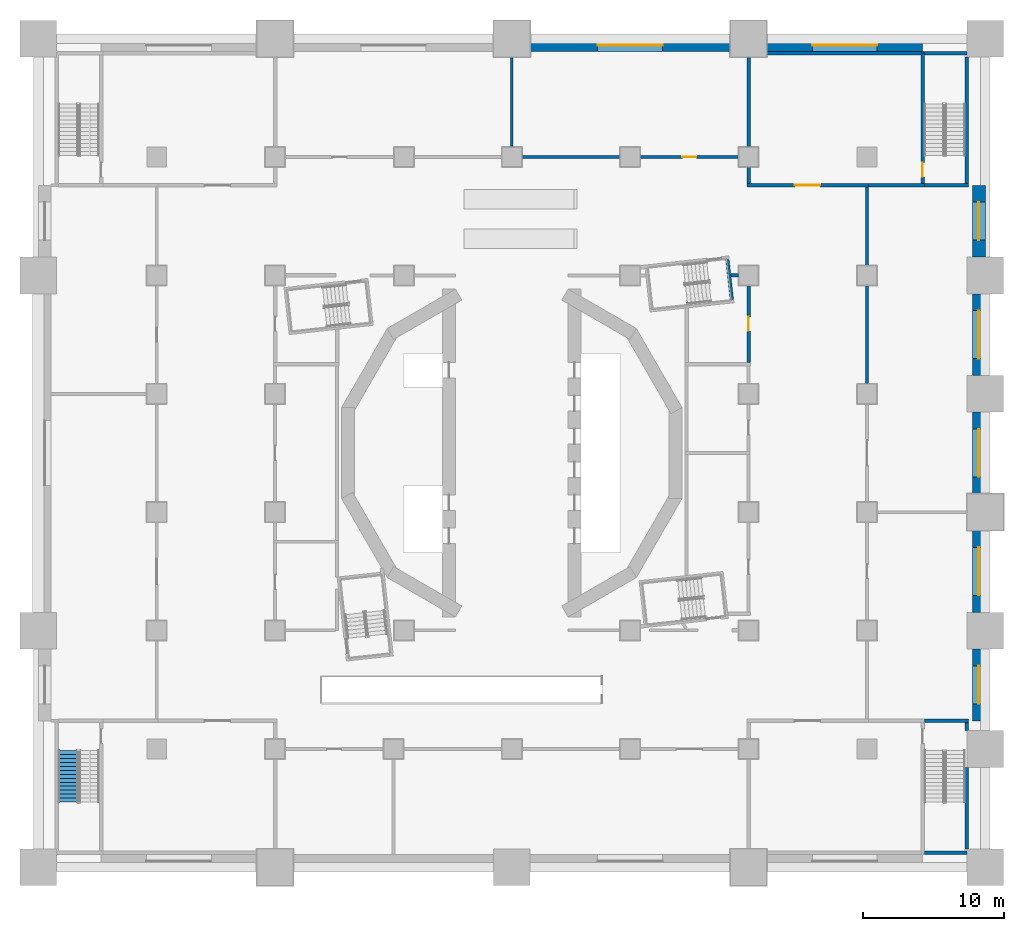
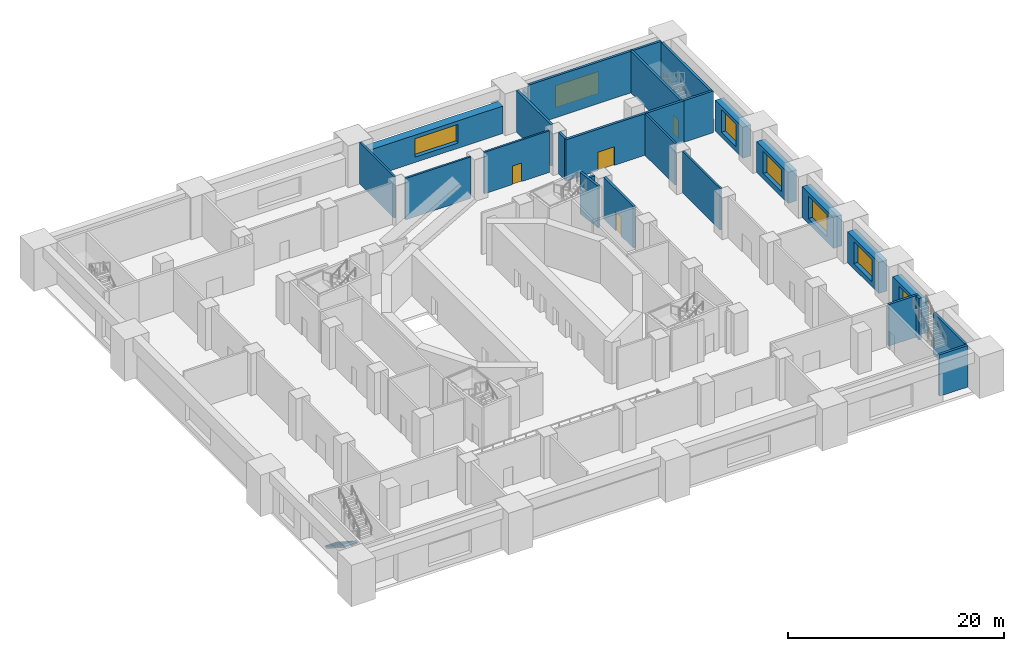
# One storey, part 5 of 19: 28 walls, 7 windows, 4 doors, 1 stair flight, 11 openings, 1 element without a shape of its own.
"""IFC4 building model written with IfcOpenShell, lengths in metres."""

import ifcopenshell
import ifcopenshell.guid

model = None  # the IFC model being written
_history = None  # IfcOwnerHistory: only IFC2X3 demands one
_inside = {}  # id of a spatial element -> (the spatial element, [elements in it])
_under = {}  # id of a project, library or spatial element -> (it, [spatial elements below it])
_declared = {}  # id of a project -> (the project, [libraries it declares])
_typed = {}  # id of a type object -> (the type object, [elements of that type])
_made_of = {}  # id of a material, layer set ... -> (it, [elements and type objects made of it])


def new_model(schema):
    """Start an empty IFC model of exactly this schema.

    Asked for "IFC4X3", IfcOpenShell would pick the latest addendum, in which some entities
    have other attributes; the version numbers below select the first issue.
    IFC2X3 requires an IfcOwnerHistory on every rooted entity: one is made here for all.
    """
    global model, _history
    if schema == "IFC4X3":
        model = ifcopenshell.file(schema_version=(4, 3, 0, 0))
    else:
        model = ifcopenshell.file(schema=schema)
    _inside.clear()
    _under.clear()
    _declared.clear()
    _typed.clear()
    _made_of.clear()
    _history = None
    if model.schema == "IFC2X3":
        org = make("IfcOrganization", Name="unknown")
        user = make(
            "IfcPersonAndOrganization",
            ThePerson=make("IfcPerson", FamilyName="unknown"),
            TheOrganization=org,
        )
        app = make(
            "IfcApplication",
            ApplicationDeveloper=org,
            Version="unknown",
            ApplicationFullName="unknown",
            ApplicationIdentifier="unknown",
        )
        _history = make(
            "IfcOwnerHistory",
            OwningUser=user,
            OwningApplication=app,
            ChangeAction="ADDED",
            CreationDate=0,
        )
    return model


def make(cls, **values):
    """One entity of the class cls with the attributes given. An attribute that is None is left unset."""
    return model.create_entity(
        cls, **{name: value for name, value in values.items() if value is not None}
    )


def rooted(cls, **values):
    """An entity with a GlobalId (a new one), such as an element, a storey or a relation."""
    return make(cls, GlobalId=ifcopenshell.guid.new(), OwnerHistory=_history, **values)


def si_unit(unit_type, name, prefix=None):
    """IfcSIUnit, for example si_unit("LENGTHUNIT", "METRE", prefix="MILLI")."""
    return make("IfcSIUnit", UnitType=unit_type, Prefix=prefix, Name=name)


def assignment(units):
    """IfcUnitAssignment: the units of a project."""
    return None if units is None else make("IfcUnitAssignment", Units=units)


def point(xyz):
    """IfcCartesianPoint."""
    return None if xyz is None else make("IfcCartesianPoint", Coordinates=xyz)


def direction(xyz):
    """IfcDirection."""
    return None if xyz is None else make("IfcDirection", DirectionRatios=xyz)


def frame(location, z_axis=None, x_axis=None):
    """IfcAxis2Placement3D, a coordinate frame: its origin and axes. An axis left out is left unset."""
    return make(
        "IfcAxis2Placement3D",
        Location=point(location),
        Axis=direction(z_axis),
        RefDirection=direction(x_axis),
    )


def frame_2d(location, x_axis=None):
    """IfcAxis2Placement2D, a coordinate frame in the plane: its origin and x axis."""
    return make(
        "IfcAxis2Placement2D", Location=point(location), RefDirection=direction(x_axis)
    )


def origin():
    """The frame at (0, 0, 0) with its axes left unset."""
    return frame((0.0, 0.0, 0.0))


def place(relative_to, where):
    """IfcLocalPlacement: puts the frame where relative to a parent placement (None: the world)."""
    return make(
        "IfcLocalPlacement", PlacementRelTo=relative_to, RelativePlacement=where
    )


def context(
    kind, dimensions, precision=None, world=None, true_north=None, identifier=None
):
    """IfcGeometricRepresentationContext, for example the 3D "Model" context."""
    return make(
        "IfcGeometricRepresentationContext",
        ContextIdentifier=identifier,
        ContextType=kind,
        CoordinateSpaceDimension=dimensions,
        Precision=precision,
        WorldCoordinateSystem=world,
        TrueNorth=true_north,
    )


def subcontext(parent, identifier, kind, view, scale=None):
    """IfcGeometricRepresentationSubContext, for example "Body" below "Model"."""
    return make(
        "IfcGeometricRepresentationSubContext",
        ContextIdentifier=identifier,
        ContextType=kind,
        ParentContext=parent,
        TargetScale=scale,
        TargetView=view,
    )


def project(units=None, contexts=None):
    """IfcProject with its units and contexts."""
    return rooted(
        "IfcProject",
        Name="project",
        RepresentationContexts=contexts,
        UnitsInContext=assignment(units),
    )


def spatial(cls, under=None, at=None, **own):
    """A site, building, storey or space (cls), placed at a placement, below another one or the project."""
    s = rooted(cls, ObjectPlacement=at, **own)
    if under is not None:
        _under.setdefault(under.id(), (under, []))[1].append(s)
    return s


def polyline(points):
    """IfcPolyline through the points."""
    return make("IfcPolyline", Points=[point(p) for p in points])


def profile(cls, at=None, kind="AREA", **sizes):
    """A parametric profile (cls). Its sizes go by their IFC names, for example OverallWidth=200.0."""
    return make(cls, ProfileType=kind, Position=at, **sizes)


def rectangle(**sizes):
    """IfcRectangleProfileDef."""
    return profile("IfcRectangleProfileDef", **sizes)


def outline(outer, holes=None, kind="AREA"):
    """IfcArbitraryClosedProfileDef: a profile drawn as a closed curve; with holes, ...WithVoids."""
    if holes is None:
        return make("IfcArbitraryClosedProfileDef", ProfileType=kind, OuterCurve=outer)
    return make(
        "IfcArbitraryProfileDefWithVoids",
        ProfileType=kind,
        OuterCurve=outer,
        InnerCurves=holes,
    )


def extrude(swept, where, along, depth):
    """IfcExtrudedAreaSolid: the profile swept, set in the frame where, extruded along a direction by depth."""
    return make(
        "IfcExtrudedAreaSolid",
        SweptArea=swept,
        Position=where,
        ExtrudedDirection=direction(along),
        Depth=depth,
    )


def shape(context_of_items, identifier, shape_type, items):
    """IfcShapeRepresentation: the items that make up one representation, for example the "Body"."""
    return make(
        "IfcShapeRepresentation",
        ContextOfItems=context_of_items,
        RepresentationIdentifier=identifier,
        RepresentationType=shape_type,
        Items=items,
    )


def material(Name=None, Category=None):
    """IfcMaterial."""
    return make("IfcMaterial", Name=Name, Category=Category)


def layer(
    of_material, thickness, ventilated=None, Name=None, Category=None, Priority=None
):
    """IfcMaterialLayer: one layer of a wall or slab, of a material (None: an air gap)."""
    return make(
        "IfcMaterialLayer",
        Material=of_material,
        LayerThickness=thickness,
        IsVentilated=ventilated,
        Name=Name,
        Category=Category,
        Priority=Priority,
    )


def layer_set(layers, Name=None):
    """IfcMaterialLayerSet."""
    return make("IfcMaterialLayerSet", MaterialLayers=layers, LayerSetName=Name)


def made_of(thing, what):
    """Note that an element or type object is made of a material, layer set ...; save() writes the relation."""
    if what is not None:
        _made_of.setdefault(what.id(), (what, []))[1].append(thing)
    return thing


def type_object(cls, material=None, **own):
    """A type object (cls), such as IfcWallType, which elements share."""
    return made_of(rooted(cls, **own), material)


def element(
    cls,
    number,
    at=None,
    inside=None,
    cuts=None,
    type_object=None,
    material=None,
    context=None,
    identifier="Body",
    shape_type=None,
    held_by="IfcProductDefinitionShape",
    body=None,
    shapes=None,
    **own,
):
    """One element of the class cls, such as IfcWall. Its Tag is "e" and its number.

    at: its placement. inside: the storey or other place that contains it. cuts: it is an
    opening in that element (IfcRelVoidsElement). A single representation is given by context,
    identifier, shape_type and body (its items); several are given by shapes. held_by: the class
    of the entity that holds the representations. save() writes the other relations.
    """
    e = rooted(cls, Tag="e%d" % number, ObjectPlacement=at, **own)
    if body is not None:
        shapes = [shape(context, identifier, shape_type, body)]
    if shapes is not None:
        e.Representation = make(held_by, Representations=shapes)
    if inside is not None:
        _inside.setdefault(inside.id(), (inside, []))[1].append(e)
    if cuts is not None:
        rooted(
            "IfcRelVoidsElement", RelatingBuildingElement=cuts, RelatedOpeningElement=e
        )
    if type_object is not None:
        _typed.setdefault(type_object.id(), (type_object, []))[1].append(e)
    return made_of(e, material)


def fill(opening, filler):
    """IfcRelFillsElement: the door or window that sits in an opening."""
    return rooted(
        "IfcRelFillsElement",
        RelatingOpeningElement=opening,
        RelatedBuildingElement=filler,
    )


def aggregate(whole, parts):
    """IfcRelAggregates: a whole, such as a stair, and the parts it consists of."""
    return rooted("IfcRelAggregates", RelatingObject=whole, RelatedObjects=parts)


def save(model, path):
    """Write the relations noted so far, then the file.

    IfcRelAggregates (storeys below a building ...), IfcRelContainedInSpatialStructure (elements
    in a storey), IfcRelDefinesByType, IfcRelAssociatesMaterial and IfcRelDeclares: one each for
    every whole, place, type object, material and project.
    """
    for whole, parts in _under.values():
        aggregate(whole, parts)
    for where, things in _inside.values():
        rooted(
            "IfcRelContainedInSpatialStructure",
            RelatedElements=things,
            RelatingStructure=where,
        )
    for kind, things in _typed.values():
        rooted("IfcRelDefinesByType", RelatedObjects=things, RelatingType=kind)
    for what, things in _made_of.values():
        rooted("IfcRelAssociatesMaterial", RelatedObjects=things, RelatingMaterial=what)
    for by, libraries in _declared.values():
        rooted("IfcRelDeclares", RelatingContext=by, RelatedDefinitions=libraries)
    model.write(path)


model = new_model("IFC4")

# Units and contexts
model_context = context("Model", 3, precision=1e-05, world=origin(), true_north=direction((0.0, 1.0)))
body_context = subcontext(model_context, "Body", "Model", "MODEL_VIEW")
ifc_project = project(units=[si_unit("LENGTHUNIT", "METRE"), si_unit("AREAUNIT", "SQUARE_METRE"), si_unit("VOLUMEUNIT", "CUBIC_METRE"), si_unit("PLANEANGLEUNIT", "RADIAN"), si_unit("MASSUNIT", "GRAM", prefix="KILO")], contexts=[model_context])

# Site, building, storey
site_placement = place(None, origin())
site = spatial("IfcSite", under=ifc_project, at=site_placement, CompositionType="ELEMENT")
building_placement = place(site_placement, origin())
building = spatial("IfcBuilding", under=site, at=building_placement, Name="Cantera Rosa Tower", CompositionType="ELEMENT")
storey_placement = place(building_placement, frame((0.0, 0.0, 12.0)))
storey = spatial("IfcBuildingStorey", under=building, at=storey_placement, Name="L01", CompositionType="ELEMENT", Elevation=12.0)

# Walls
ifc_material_1 = material(Name="Masonry blockwork", Category="masonry")
ifc_layer_1 = layer(ifc_material_1, 0.199951171875)
ifc_layer_set_1 = layer_set([ifc_layer_1], Name="Blockwork partition 200")
wall_type_1 = type_object("IfcWallType", Name="Blockwork partition 200", PredefinedType="PARTITIONING", material=ifc_layer_set_1)
wall_1_placement = place(storey_placement, frame((0.0, 21.699951171875, 0.0), z_axis=(0.0, 0.0, 1.0), x_axis=(0.0, 1.0, 0.0)))
element("IfcWall", 1, at=wall_1_placement, inside=storey, type_object=wall_type_1, Name="Partition L01-75", PredefinedType="PARTITIONING", context=body_context, shape_type="SweptSolid", body=[
    extrude(rectangle(XDim=6.400146484375, YDim=0.199951171875, at=frame_2d((3.2001953125, 0.0))), origin(), (0.0, 0.0, 1.0), 4.699951171875),
])
wall_2_placement = place(storey_placement, frame((0.699951171875, 21.0, 0.0), z_axis=(0.0, 0.0, 1.0), x_axis=(1.0, 0.0, 0.0)))
element("IfcWall", 2, at=wall_2_placement, inside=storey, type_object=wall_type_1, Name="Partition L01-78", PredefinedType="PARTITIONING", context=body_context, shape_type="SweptSolid", body=[
    extrude(rectangle(XDim=7.0, YDim=0.199951171875, at=frame_2d((3.5, 0.0))), origin(), (0.0, 0.0, 1.0), 4.699951171875),
])

# Wall, opening, door
wall_3_placement = place(storey_placement, frame((9.10009765625, 21.0, 0.0), z_axis=(0.0, 0.0, 1.0), x_axis=(1.0, 0.0, 0.0)))
wall_3 = element("IfcWall", 3, at=wall_3_placement, inside=storey, type_object=wall_type_1, Name="Partition L01-79", PredefinedType="PARTITIONING", context=body_context, shape_type="SweptSolid", body=[
    extrude(rectangle(XDim=7.0, YDim=0.199951171875, at=frame_2d((3.5, 0.0))), origin(), (0.0, 0.0, 1.0), 4.699951171875),
])
opening_1_placement = place(wall_3_placement, frame((3.0, 0.0, 0.0)))
opening_1 = element("IfcOpeningElement", 4, at=opening_1_placement, cuts=wall_3, Name="Opening L01-002", PredefinedType="OPENING", context=body_context, shape_type="SweptSolid", body=[
    extrude(rectangle(XDim=1.0, YDim=2.10009765625, at=frame_2d((0.5, 1.050048828125))), frame((0.0, 0.10986328125, 0.0), z_axis=(0.0, -1.0, 0.0), x_axis=(1.0, 0.0, 0.0)), (0.0, 0.0, 1.0), 0.219970703125),
])
ifc_material_2 = material(Name="Timber", Category="wood")
door_type_1 = type_object("IfcDoorType", Name="Door 1000x2100", OperationType="NOTDEFINED", PredefinedType="DOOR", material=ifc_material_2)
door_1_placement = place(opening_1_placement, origin())
door_1 = element("IfcDoor", 5, at=door_1_placement, inside=storey, type_object=door_type_1, Name="Door L01-002", OverallHeight=2.10009765625, OverallWidth=1.0, PredefinedType="DOOR", context=body_context, shape_type="SweptSolid", body=[
    extrude(rectangle(XDim=1.0, YDim=2.10009765625, at=frame_2d((0.5, 1.050048828125))), frame((0.0, 0.02490234375, 0.0), z_axis=(0.0, -1.0, 0.0), x_axis=(1.0, 0.0, 0.0)), (0.0, 0.0, 1.0), 0.050048828125),
])
fill(opening_1, door_1)

# Walls
wall_4_placement = place(storey_placement, frame((25.199951171875, 4.89990234375, 0.0), z_axis=(0.0, 0.0, 1.0), x_axis=(0.0, 1.0, 0.0)))
element("IfcWall", 6, at=wall_4_placement, inside=storey, type_object=wall_type_1, Name="Partition L01-89", PredefinedType="PARTITIONING", context=body_context, shape_type="SweptSolid", body=[
    extrude(rectangle(XDim=7.0, YDim=0.199951171875, at=frame_2d((3.5, 0.0))), origin(), (0.0, 0.0, 1.0), 4.699951171875),
])
wall_5_placement = place(storey_placement, frame((25.199951171875, 13.300048828125, 0.0), z_axis=(0.0, 0.0, 1.0), x_axis=(0.0, 1.0, 0.0)))
element("IfcWall", 7, at=wall_5_placement, inside=storey, type_object=wall_type_1, Name="Partition L01-90", PredefinedType="PARTITIONING", context=body_context, shape_type="SweptSolid", body=[
    extrude(rectangle(XDim=5.574951171875, YDim=0.199951171875, at=frame_2d((2.78759765625, 0.0))), origin(), (0.0, 0.0, 1.0), 4.699951171875),
])
ifc_material_3 = material(Name="Concrete C50/60", Category="concrete")
ifc_layer_2 = layer(ifc_material_3, 0.25)
ifc_layer_set_2 = layer_set([ifc_layer_2], Name="External stair wall 250")
wall_type_2 = type_object("IfcWallType", Name="External stair wall 250", PredefinedType="SOLIDWALL", material=ifc_layer_set_2)
for number, where, z_axis, x_axis, name in (
    (8, (29.27490234375, 28.375, 0.0), (0.0, 0.0, 1.0), (1.0, 0.0, 0.0), "Stair wall L01-50"),
    (9, (32.300048828125, -28.375, 0.0), (0.0, 0.0, 1.0), (-1.0, 0.0, 0.0), "Stair wall L01-74"),
):
    element("IfcWall", number, at=place(storey_placement, frame(where, z_axis=z_axis, x_axis=x_axis)), inside=storey, type_object=wall_type_2, Name=name, PredefinedType="SOLIDWALL", context=body_context, shape_type="SweptSolid", body=[
        extrude(rectangle(XDim=3.025146484375, YDim=0.25, at=frame_2d((1.5126953125, 0.0))), origin(), (0.0, 0.0, 1.0), 4.699951171875),
    ])
ifc_material_4 = material(Name="Masonry blockwork", Category="masonry")
ifc_layer_3 = layer(ifc_material_4, 0.25)
ifc_layer_set_3 = layer_set([ifc_layer_3], Name="Fire-rated external wall 250")
wall_type_3 = type_object("IfcWallType", Name="Fire-rated external wall 250", PredefinedType="PARTITIONING", material=ifc_layer_set_3)
wall_6_placement = place(storey_placement, frame((18.10009765625, 28.375, 0.0), z_axis=(0.0, 0.0, 1.0), x_axis=(1.0, 0.0, 0.0)))
element("IfcWall", 10, at=wall_6_placement, inside=storey, type_object=wall_type_3, Name="Fire wall L01-49", PredefinedType="PARTITIONING", context=body_context, shape_type="SweptSolid", body=[
    extrude(rectangle(XDim=11.1748046875, YDim=0.25, at=frame_2d((5.58740234375, 0.0))), origin(), (0.0, 0.0, 1.0), 4.699951171875),
])
ifc_material_5 = material(Name="Masonry blockwork", Category="masonry")
ifc_layer_4 = layer(ifc_material_5, 0.25)
ifc_layer_set_4 = layer_set([ifc_layer_4], Name="Fire-rated wall 250")
wall_type_4 = type_object("IfcWallType", Name="Fire-rated wall 250", PredefinedType="PARTITIONING", material=ifc_layer_set_4)
wall_7_placement = place(storey_placement, frame((15.5517578125, 12.60009765625, 0.0), z_axis=(0.0, 0.0, 1.0), x_axis=(1.0, 0.0, 0.0)))
element("IfcWall", 11, at=wall_7_placement, inside=storey, type_object=wall_type_4, Name="Fire wall L01-16", PredefinedType="PARTITIONING", context=body_context, shape_type="SweptSolid", body=[
    extrude(rectangle(XDim=0.54833984375, YDim=0.25, at=frame_2d((0.274169921875, 0.0))), origin(), (0.0, 0.0, 1.0), 4.699951171875),
])

# Wall, opening, door
wall_8_placement = place(storey_placement, frame((16.800048828125, 6.425048828125, 0.0), z_axis=(0.0, 0.0, 1.0), x_axis=(0.0, 1.0, 0.0)))
wall_8 = element("IfcWall", 12, at=wall_8_placement, inside=storey, type_object=wall_type_4, Name="Fire wall L01-28", PredefinedType="PARTITIONING", context=body_context, shape_type="SweptSolid", body=[
    extrude(rectangle(XDim=5.474853515625, YDim=0.25, at=frame_2d((2.7373046875, 0.0))), origin(), (0.0, 0.0, 1.0), 4.699951171875),
])
opening_2_placement = place(wall_8_placement, frame((2.237548828125, 0.0, 0.0)))
opening_2 = element("IfcOpeningElement", 13, at=opening_2_placement, cuts=wall_8, Name="Opening L01-011", PredefinedType="OPENING", context=body_context, shape_type="SweptSolid", body=[
    extrude(rectangle(XDim=1.0, YDim=2.10009765625, at=frame_2d((0.5, 1.050048828125))), frame((0.0, 0.135009765625, 0.0), z_axis=(0.0, -1.0, 0.0), x_axis=(1.0, 0.0, 0.0)), (0.0, 0.0, 1.0), 0.27001953125),
])
ifc_material_6 = material(Name="Steel S355J2 (EN 10025-2)", Category="steel")
door_type_2 = type_object("IfcDoorType", Name="Fire door 1000x2100 EI 120", OperationType="NOTDEFINED", PredefinedType="DOOR", material=ifc_material_6)
door_2_placement = place(opening_2_placement, origin())
door_2 = element("IfcDoor", 14, at=door_2_placement, inside=storey, type_object=door_type_2, Name="Door L01-011", OverallHeight=2.10009765625, OverallWidth=1.0, PredefinedType="DOOR", context=body_context, shape_type="SweptSolid", body=[
    extrude(rectangle(XDim=1.0, YDim=2.10009765625, at=frame_2d((0.5, 1.050048828125))), frame((0.0, 0.02490234375, 0.0), z_axis=(0.0, -1.0, 0.0), x_axis=(1.0, 0.0, 0.0)), (0.0, 0.0, 1.0), 0.050048828125),
])
fill(opening_2, door_2)

# Walls
wall_9_placement = place(storey_placement, frame((16.800048828125, 19.125, 0.0), z_axis=(0.0, 0.0, 1.0), x_axis=(0.0, 1.0, 0.0)))
element("IfcWall", 15, at=wall_9_placement, inside=storey, type_object=wall_type_4, Name="Fire wall L01-29", PredefinedType="PARTITIONING", context=body_context, shape_type="SweptSolid", body=[
    extrude(rectangle(XDim=1.175048828125, YDim=0.25, at=frame_2d((0.58740234375, 0.0))), origin(), (0.0, 0.0, 1.0), 4.699951171875),
])
wall_10_placement = place(storey_placement, frame((16.800048828125, 21.699951171875, 0.0), z_axis=(0.0, 0.0, 1.0), x_axis=(0.0, 1.0, 0.0)))
element("IfcWall", 16, at=wall_10_placement, inside=storey, type_object=wall_type_4, Name="Fire wall L01-30", PredefinedType="PARTITIONING", context=body_context, shape_type="SweptSolid", body=[
    extrude(rectangle(XDim=6.400146484375, YDim=0.25, at=frame_2d((3.2001953125, 0.0))), origin(), (0.0, 0.0, 1.0), 4.699951171875),
])

# Wall, opening, door
wall_11_placement = place(storey_placement, frame((16.675048828125, 19.0, 0.0), z_axis=(0.0, 0.0, 1.0), x_axis=(1.0, 0.0, 0.0)))
wall_11 = element("IfcWall", 17, at=wall_11_placement, inside=storey, type_object=wall_type_4, Name="Fire wall L01-57", PredefinedType="PARTITIONING", context=body_context, shape_type="SweptSolid", body=[
    extrude(rectangle(XDim=8.625, YDim=0.25, at=frame_2d((4.3125, 0.0))), origin(), (0.0, 0.0, 1.0), 4.699951171875),
])
opening_3_placement = place(wall_11_placement, frame((3.41259765625, 0.0, 0.0)))
opening_3 = element("IfcOpeningElement", 18, at=opening_3_placement, cuts=wall_11, Name="Opening L01-015", PredefinedType="OPENING", context=body_context, shape_type="SweptSolid", body=[
    extrude(rectangle(XDim=1.800048828125, YDim=2.10009765625, at=frame_2d((0.89990234375, 1.050048828125))), frame((0.0, 0.135009765625, 0.0), z_axis=(0.0, -1.0, 0.0), x_axis=(1.0, 0.0, 0.0)), (0.0, 0.0, 1.0), 0.27001953125),
])
ifc_material_7 = material(Name="Steel S355J2 (EN 10025-2)", Category="steel")
door_type_3 = type_object("IfcDoorType", Name="Fire double door 1800x2100", OperationType="NOTDEFINED", PredefinedType="DOOR", material=ifc_material_7)
door_3_placement = place(opening_3_placement, origin())
door_3 = element("IfcDoor", 19, at=door_3_placement, inside=storey, type_object=door_type_3, Name="Door L01-015", OperationType="DOUBLE_DOOR_SINGLE_SWING", OverallHeight=2.10009765625, OverallWidth=1.800048828125, PredefinedType="DOOR", context=body_context, shape_type="SweptSolid", body=[
    extrude(rectangle(XDim=1.800048828125, YDim=2.10009765625, at=frame_2d((0.89990234375, 1.050048828125))), frame((0.0, 0.02490234375, 0.0), z_axis=(0.0, -1.0, 0.0), x_axis=(1.0, 0.0, 0.0)), (0.0, 0.0, 1.0), 0.050048828125),
])
fill(opening_3, door_3)

# Walls
wall_12_placement = place(storey_placement, frame((25.300048828125, 19.0, 0.0), z_axis=(0.0, 0.0, 1.0), x_axis=(1.0, 0.0, 0.0)))
element("IfcWall", 20, at=wall_12_placement, inside=storey, type_object=wall_type_4, Name="Fire wall L01-58", PredefinedType="PARTITIONING", context=body_context, shape_type="SweptSolid", body=[
    extrude(rectangle(XDim=3.974853515625, YDim=0.25, at=frame_2d((1.9873046875, 0.0))), origin(), (0.0, 0.0, 1.0), 4.699951171875),
])
ifc_material_8 = material(Name="Concrete C50/60", Category="concrete")
ifc_layer_5 = layer(ifc_material_8, 0.25)
ifc_layer_set_5 = layer_set([ifc_layer_5], Name="RC stair wall 250 C50/60")
wall_type_5 = type_object("IfcWallType", Name="RC stair wall 250", PredefinedType="SOLIDWALL", material=ifc_layer_set_5)
wall_13_placement = place(storey_placement, frame((32.300048828125, -28.10009765625, 0.0), z_axis=(0.0, 0.0, 1.0), x_axis=(0.0, 1.0, 0.0)))
element("IfcWall", 21, at=wall_13_placement, inside=storey, type_object=wall_type_5, Name="Stair wall L01-44", PredefinedType="SOLIDWALL", context=body_context, shape_type="SweptSolid", body=[
    extrude(rectangle(XDim=5.800048828125, YDim=0.25, at=frame_2d((2.89990234375, 0.0))), origin(), (0.0, 0.0, 1.0), 4.699951171875),
])
wall_14_placement = place(storey_placement, frame((32.300048828125, -19.699951171875, 0.0), z_axis=(0.0, 0.0, 1.0), x_axis=(0.0, 1.0, 0.0)))
element("IfcWall", 22, at=wall_14_placement, inside=storey, type_object=wall_type_5, Name="Stair wall L01-45", PredefinedType="SOLIDWALL", context=body_context, shape_type="SweptSolid", body=[
    extrude(rectangle(XDim=0.574951171875, YDim=0.25, at=frame_2d((0.28759765625, 0.0))), origin(), (0.0, 0.0, 1.0), 4.699951171875),
])
wall_15_placement = place(storey_placement, frame((32.300048828125, 19.125, 0.0), z_axis=(0.0, 0.0, 1.0), x_axis=(0.0, 1.0, 0.0)))
element("IfcWall", 23, at=wall_15_placement, inside=storey, type_object=wall_type_5, Name="Stair wall L01-46", PredefinedType="SOLIDWALL", context=body_context, shape_type="SweptSolid", body=[
    extrude(rectangle(XDim=8.97509765625, YDim=0.25, at=frame_2d((4.487548828125, 0.0))), origin(), (0.0, 0.0, 1.0), 4.699951171875),
])

# Wall, opening, door
wall_16_placement = place(storey_placement, frame((29.14990234375, 19.125, 0.0), z_axis=(0.0, 0.0, 1.0), x_axis=(0.0, 1.0, 0.0)))
wall_16 = element("IfcWall", 24, at=wall_16_placement, inside=storey, type_object=wall_type_5, Name="Stair wall L01-52", PredefinedType="SOLIDWALL", context=body_context, shape_type="SweptSolid", body=[
    extrude(rectangle(XDim=9.25, YDim=0.25, at=frame_2d((4.625, 0.0))), origin(), (0.0, 0.0, 1.0), 4.699951171875),
])
opening_4_placement = place(wall_16_placement, frame((0.47509765625, 0.0, 0.0)))
opening_4 = element("IfcOpeningElement", 25, at=opening_4_placement, cuts=wall_16, Name="Opening L01-016", PredefinedType="OPENING", context=body_context, shape_type="SweptSolid", body=[
    extrude(rectangle(XDim=1.0, YDim=2.10009765625, at=frame_2d((0.5, 1.050048828125))), frame((0.0, 0.135009765625, 0.0), z_axis=(0.0, -1.0, 0.0), x_axis=(1.0, 0.0, 0.0)), (0.0, 0.0, 1.0), 0.27001953125),
])
door_4_placement = place(opening_4_placement, origin())
door_4 = element("IfcDoor", 26, at=door_4_placement, inside=storey, type_object=door_type_2, Name="Door L01-016", OverallHeight=2.10009765625, OverallWidth=1.0, PredefinedType="DOOR", context=body_context, shape_type="SweptSolid", body=[
    extrude(rectangle(XDim=1.0, YDim=2.10009765625, at=frame_2d((0.5, 1.050048828125))), frame((0.0, 0.02490234375, 0.0), z_axis=(0.0, -1.0, 0.0), x_axis=(1.0, 0.0, 0.0)), (0.0, 0.0, 1.0), 0.050048828125),
])
fill(opening_4, door_4)

# Walls
for number, where, z_axis, x_axis, name in (
    (27, (29.27490234375, 19.0, 0.0), (0.0, 0.0, 1.0), (1.0, 0.0, 0.0), "Stair wall L01-59"),
    (28, (29.27490234375, -19.0, 0.0), (0.0, 0.0, 1.0), (1.0, 0.0, 0.0), "Stair wall L01-70"),
):
    element("IfcWall", number, at=place(storey_placement, frame(where, z_axis=z_axis, x_axis=x_axis)), inside=storey, type_object=wall_type_5, Name=name, PredefinedType="SOLIDWALL", context=body_context, shape_type="SweptSolid", body=[
        extrude(rectangle(XDim=3.150146484375, YDim=0.25, at=frame_2d((1.5751953125, 0.0))), origin(), (0.0, 0.0, 1.0), 4.699951171875),
    ])
wall_17_placement = place(storey_placement, frame((15.30029296875, 13.7333984375, 0.0), z_axis=(0.0, 0.0, 1.0), x_axis=(0.110252878147, -0.99390356819, 0.0)))
element("IfcWall", 29, at=wall_17_placement, inside=storey, type_object=wall_type_5, Name="Stair wall ST-11 L01-1", PredefinedType="SOLIDWALL", context=body_context, shape_type="SweptSolid", body=[
    extrude(rectangle(XDim=2.849853515625, YDim=0.25, at=frame_2d((1.4248046875, 0.0))), origin(), (0.0, 0.0, 1.0), 4.699951171875),
])

# Wall, opening, window
ifc_material_9 = material(Name="Concrete C40/50 with limestone facing", Category="masonry")
ifc_layer_6 = layer(ifc_material_9, 0.89990234375)
ifc_layer_set_6 = layer_set([ifc_layer_6], Name="Stone podium wall 900")
wall_type_6 = type_object("IfcWallType", Name="Stone podium wall 900", PredefinedType="SOLIDWALL", material=ifc_layer_set_6)
wall_18_placement = place(storey_placement, frame((18.10009765625, 28.949951171875, 0.0), z_axis=(0.0, 0.0, 1.0), x_axis=(1.0, 0.0, 0.0)))
wall_18 = element("IfcWall", 30, at=wall_18_placement, inside=storey, type_object=wall_type_6, Name="Stone wall N L01-4", PredefinedType="SOLIDWALL", context=body_context, shape_type="SweptSolid", body=[
    extrude(rectangle(XDim=11.0498046875, YDim=0.89990234375, at=frame_2d((5.52490234375, 0.0))), origin(), (0.0, 0.0, 1.0), 3.5),
])
opening_5_placement = place(wall_18_placement, frame((3.22509765625, 0.0, 0.60009765625)))
opening_5 = element("IfcOpeningElement", 31, at=opening_5_placement, cuts=wall_18, Name="Opening L01-PWN4", PredefinedType="OPENING", context=body_context, shape_type="SweptSolid", body=[
    extrude(rectangle(XDim=4.60009765625, YDim=2.5, at=frame_2d((2.300048828125, 1.25))), frame((0.0, 0.4599609375, 0.0), z_axis=(0.0, -1.0, 0.0), x_axis=(1.0, 0.0, 0.0)), (0.0, 0.0, 1.0), 0.919921875),
])
ifc_material_10 = material(Name="Glass", Category="glass")
window_type_1 = type_object("IfcWindowType", Name="Podium window 4600x2500", PartitioningType="SINGLE_PANEL", PredefinedType="WINDOW", material=ifc_material_10)
window_1_placement = place(opening_5_placement, origin())
window_1 = element("IfcWindow", 32, at=window_1_placement, inside=storey, type_object=window_type_1, Name="Podium window L01-N4", OverallHeight=2.5, OverallWidth=4.60009765625, PartitioningType="SINGLE_PANEL", PredefinedType="WINDOW", context=body_context, shape_type="SweptSolid", body=[
    extrude(rectangle(XDim=4.60009765625, YDim=2.5, at=frame_2d((2.300048828125, 1.25))), frame((0.0, 0.030029296875, 0.0), z_axis=(0.0, -1.0, 0.0), x_axis=(1.0, 0.0, 0.0)), (0.0, 0.0, 1.0), 0.06005859375),
])
fill(opening_5, window_1)

wall_19_placement = place(storey_placement, frame((33.14990234375, -19.0, 0.0), z_axis=(0.0, 0.0, 1.0), x_axis=(0.0, 1.0, 0.0)))
wall_19 = element("IfcWall", 33, at=wall_19_placement, inside=storey, type_object=wall_type_6, Name="Stone wall E L01-1", PredefinedType="SOLIDWALL", context=body_context, shape_type="SweptSolid", body=[
    extrude(rectangle(XDim=5.10009765625, YDim=0.89990234375, at=frame_2d((2.550048828125, 0.0))), origin(), (0.0, 0.0, 1.0), 3.5),
])
opening_6_placement = place(wall_19_placement, frame((1.199951171875, 0.0, 0.60009765625)))
opening_6 = element("IfcOpeningElement", 34, at=opening_6_placement, cuts=wall_19, Name="Opening L01-PWE1", PredefinedType="OPENING", context=body_context, shape_type="SweptSolid", body=[
    extrude(rectangle(XDim=2.699951171875, YDim=2.5, at=frame_2d((1.35009765625, 1.25))), frame((0.0, 0.4599609375, 0.0), z_axis=(0.0, -1.0, 0.0), x_axis=(1.0, 0.0, 0.0)), (0.0, 0.0, 1.0), 0.919921875),
])
ifc_material_11 = material(Name="Glass", Category="glass")
window_type_2 = type_object("IfcWindowType", Name="Podium window 2700x2500", PartitioningType="SINGLE_PANEL", PredefinedType="WINDOW", material=ifc_material_11)
window_2_placement = place(opening_6_placement, origin())
window_2 = element("IfcWindow", 35, at=window_2_placement, inside=storey, type_object=window_type_2, Name="Podium window L01-E1", OverallHeight=2.5, OverallWidth=2.699951171875, PartitioningType="SINGLE_PANEL", PredefinedType="WINDOW", context=body_context, shape_type="SweptSolid", body=[
    extrude(rectangle(XDim=2.699951171875, YDim=2.5, at=frame_2d((1.35009765625, 1.25))), frame((0.0, 0.030029296875, 0.0), z_axis=(0.0, -1.0, 0.0), x_axis=(1.0, 0.0, 0.0)), (0.0, 0.0, 1.0), 0.06005859375),
])
fill(opening_6, window_2)

wall_20_placement = place(storey_placement, frame((33.14990234375, -11.300048828125, 0.0), z_axis=(0.0, 0.0, 1.0), x_axis=(0.0, 1.0, 0.0)))
wall_20 = element("IfcWall", 36, at=wall_20_placement, inside=storey, type_object=wall_type_6, Name="Stone wall E L01-2", PredefinedType="SOLIDWALL", context=body_context, shape_type="SweptSolid", body=[
    extrude(rectangle(XDim=5.800048828125, YDim=0.89990234375, at=frame_2d((2.89990234375, 0.0))), origin(), (0.0, 0.0, 1.0), 3.5),
])
opening_7_placement = place(wall_20_placement, frame((1.199951171875, 0.0, 0.60009765625)))
opening_7 = element("IfcOpeningElement", 37, at=opening_7_placement, cuts=wall_20, Name="Opening L01-PWE2", PredefinedType="OPENING", context=body_context, shape_type="SweptSolid", body=[
    extrude(rectangle(XDim=3.39990234375, YDim=2.5, at=frame_2d((1.699951171875, 1.25))), frame((0.0, 0.4599609375, 0.0), z_axis=(0.0, -1.0, 0.0), x_axis=(1.0, 0.0, 0.0)), (0.0, 0.0, 1.0), 0.919921875),
])
ifc_material_12 = material(Name="Glass", Category="glass")
window_type_3 = type_object("IfcWindowType", Name="Podium window 3400x2500", PartitioningType="SINGLE_PANEL", PredefinedType="WINDOW", material=ifc_material_12)
window_3_placement = place(opening_7_placement, origin())
window_3 = element("IfcWindow", 38, at=window_3_placement, inside=storey, type_object=window_type_3, Name="Podium window L01-E2", OverallHeight=2.5, OverallWidth=3.39990234375, PartitioningType="SINGLE_PANEL", PredefinedType="WINDOW", context=body_context, shape_type="SweptSolid", body=[
    extrude(rectangle(XDim=3.39990234375, YDim=2.5, at=frame_2d((1.699951171875, 1.25))), frame((0.0, 0.030029296875, 0.0), z_axis=(0.0, -1.0, 0.0), x_axis=(1.0, 0.0, 0.0)), (0.0, 0.0, 1.0), 0.06005859375),
])
fill(opening_7, window_3)

wall_21_placement = place(storey_placement, frame((33.14990234375, -2.89990234375, 0.0), z_axis=(0.0, 0.0, 1.0), x_axis=(0.0, 1.0, 0.0)))
wall_21 = element("IfcWall", 39, at=wall_21_placement, inside=storey, type_object=wall_type_6, Name="Stone wall E L01-3", PredefinedType="SOLIDWALL", context=body_context, shape_type="SweptSolid", body=[
    extrude(rectangle(XDim=5.7998046875, YDim=0.89990234375, at=frame_2d((2.89990234375, 0.0))), origin(), (0.0, 0.0, 1.0), 3.5),
])
opening_8_placement = place(wall_21_placement, frame((1.199951171875, 0.0, 0.60009765625)))
opening_8 = element("IfcOpeningElement", 40, at=opening_8_placement, cuts=wall_21, Name="Opening L01-PWE3", PredefinedType="OPENING", context=body_context, shape_type="SweptSolid", body=[
    extrude(rectangle(XDim=3.39990234375, YDim=2.5, at=frame_2d((1.699951171875, 1.25))), frame((0.0, 0.4599609375, 0.0), z_axis=(0.0, -1.0, 0.0), x_axis=(1.0, 0.0, 0.0)), (0.0, 0.0, 1.0), 0.919921875),
])
window_4_placement = place(opening_8_placement, origin())
window_4 = element("IfcWindow", 41, at=window_4_placement, inside=storey, type_object=window_type_3, Name="Podium window L01-E3", OverallHeight=2.5, OverallWidth=3.39990234375, PartitioningType="SINGLE_PANEL", PredefinedType="WINDOW", context=body_context, shape_type="SweptSolid", body=[
    extrude(rectangle(XDim=3.39990234375, YDim=2.5, at=frame_2d((1.699951171875, 1.25))), frame((0.0, 0.030029296875, 0.0), z_axis=(0.0, -1.0, 0.0), x_axis=(1.0, 0.0, 0.0)), (0.0, 0.0, 1.0), 0.06005859375),
])
fill(opening_8, window_4)

wall_22_placement = place(storey_placement, frame((33.14990234375, 5.5, 0.0), z_axis=(0.0, 0.0, 1.0), x_axis=(0.0, 1.0, 0.0)))
wall_22 = element("IfcWall", 42, at=wall_22_placement, inside=storey, type_object=wall_type_6, Name="Stone wall E L01-4", PredefinedType="SOLIDWALL", context=body_context, shape_type="SweptSolid", body=[
    extrude(rectangle(XDim=5.800048828125, YDim=0.89990234375, at=frame_2d((2.89990234375, 0.0))), origin(), (0.0, 0.0, 1.0), 3.5),
])
opening_9_placement = place(wall_22_placement, frame((1.199951171875, 0.0, 0.60009765625)))
opening_9 = element("IfcOpeningElement", 43, at=opening_9_placement, cuts=wall_22, Name="Opening L01-PWE4", PredefinedType="OPENING", context=body_context, shape_type="SweptSolid", body=[
    extrude(rectangle(XDim=3.39990234375, YDim=2.5, at=frame_2d((1.699951171875, 1.25))), frame((0.0, 0.4599609375, 0.0), z_axis=(0.0, -1.0, 0.0), x_axis=(1.0, 0.0, 0.0)), (0.0, 0.0, 1.0), 0.919921875),
])
window_5_placement = place(opening_9_placement, origin())
window_5 = element("IfcWindow", 44, at=window_5_placement, inside=storey, type_object=window_type_3, Name="Podium window L01-E4", OverallHeight=2.5, OverallWidth=3.39990234375, PartitioningType="SINGLE_PANEL", PredefinedType="WINDOW", context=body_context, shape_type="SweptSolid", body=[
    extrude(rectangle(XDim=3.39990234375, YDim=2.5, at=frame_2d((1.699951171875, 1.25))), frame((0.0, 0.030029296875, 0.0), z_axis=(0.0, -1.0, 0.0), x_axis=(1.0, 0.0, 0.0)), (0.0, 0.0, 1.0), 0.06005859375),
])
fill(opening_9, window_5)

wall_23_placement = place(storey_placement, frame((33.14990234375, 13.89990234375, 0.0), z_axis=(0.0, 0.0, 1.0), x_axis=(0.0, 1.0, 0.0)))
wall_23 = element("IfcWall", 45, at=wall_23_placement, inside=storey, type_object=wall_type_6, Name="Stone wall E L01-5", PredefinedType="SOLIDWALL", context=body_context, shape_type="SweptSolid", body=[
    extrude(rectangle(XDim=5.10009765625, YDim=0.89990234375, at=frame_2d((2.550048828125, 0.0))), origin(), (0.0, 0.0, 1.0), 3.5),
])
opening_10_placement = place(wall_23_placement, frame((1.199951171875, 0.0, 0.60009765625)))
opening_10 = element("IfcOpeningElement", 46, at=opening_10_placement, cuts=wall_23, Name="Opening L01-PWE5", PredefinedType="OPENING", context=body_context, shape_type="SweptSolid", body=[
    extrude(rectangle(XDim=2.699951171875, YDim=2.5, at=frame_2d((1.35009765625, 1.25))), frame((0.0, 0.4599609375, 0.0), z_axis=(0.0, -1.0, 0.0), x_axis=(1.0, 0.0, 0.0)), (0.0, 0.0, 1.0), 0.919921875),
])
window_6_placement = place(opening_10_placement, origin())
window_6 = element("IfcWindow", 47, at=window_6_placement, inside=storey, type_object=window_type_2, Name="Podium window L01-E5", OverallHeight=2.5, OverallWidth=2.699951171875, PartitioningType="SINGLE_PANEL", PredefinedType="WINDOW", context=body_context, shape_type="SweptSolid", body=[
    extrude(rectangle(XDim=2.699951171875, YDim=2.5, at=frame_2d((1.35009765625, 1.25))), frame((0.0, 0.030029296875, 0.0), z_axis=(0.0, -1.0, 0.0), x_axis=(1.0, 0.0, 0.0)), (0.0, 0.0, 1.0), 0.06005859375),
])
fill(opening_10, window_6)

ifc_material_13 = material(Name="Concrete C40/50 with limestone facing", Category="masonry")
ifc_layer_7 = layer(ifc_material_13, 0.89990234375)
ifc_layer_set_7 = layer_set([ifc_layer_7], Name="Stone podium wall 900 under deep girder")
wall_type_7 = type_object("IfcWallType", Name="Stone podium wall 900 under deep girder", PredefinedType="SOLIDWALL", material=ifc_layer_set_7)
wall_24_placement = place(storey_placement, frame((1.300048828125, 28.949951171875, 0.0), z_axis=(0.0, 0.0, 1.0), x_axis=(1.0, 0.0, 0.0)))
wall_24 = element("IfcWall", 48, at=wall_24_placement, inside=storey, type_object=wall_type_7, Name="Stone wall N L01-3", PredefinedType="SOLIDWALL", context=body_context, shape_type="SweptSolid", body=[
    extrude(rectangle(XDim=14.199951171875, YDim=0.89990234375, at=frame_2d((7.10009765625, 0.0))), origin(), (0.0, 0.0, 1.0), 3.10009765625),
])
opening_11_placement = place(wall_24_placement, frame((4.800048828125, 0.0, 0.60009765625)))
opening_11 = element("IfcOpeningElement", 49, at=opening_11_placement, cuts=wall_24, Name="Opening L01-PWN3", PredefinedType="OPENING", context=body_context, shape_type="SweptSolid", body=[
    extrude(rectangle(XDim=4.60009765625, YDim=2.10009765625, at=frame_2d((2.300048828125, 1.050048828125))), frame((0.0, 0.4599609375, 0.0), z_axis=(0.0, -1.0, 0.0), x_axis=(1.0, 0.0, 0.0)), (0.0, 0.0, 1.0), 0.919921875),
])
ifc_material_14 = material(Name="Glass", Category="glass")
window_type_4 = type_object("IfcWindowType", Name="Podium window 4600x2100", PartitioningType="SINGLE_PANEL", PredefinedType="WINDOW", material=ifc_material_14)
window_7_placement = place(opening_11_placement, origin())
window_7 = element("IfcWindow", 50, at=window_7_placement, inside=storey, type_object=window_type_4, Name="Podium window L01-N3", OverallHeight=2.10009765625, OverallWidth=4.60009765625, PartitioningType="SINGLE_PANEL", PredefinedType="WINDOW", context=body_context, shape_type="SweptSolid", body=[
    extrude(rectangle(XDim=4.60009765625, YDim=2.10009765625, at=frame_2d((2.300048828125, 1.050048828125))), frame((0.0, 0.030029296875, 0.0), z_axis=(0.0, -1.0, 0.0), x_axis=(1.0, 0.0, 0.0)), (0.0, 0.0, 1.0), 0.06005859375),
])
fill(opening_11, window_7)

# Stair, stair flight
ifc_material_15 = material(Name="Concrete C35/45", Category="concrete")
stair_type = type_object("IfcStairType", Name="Stair half-turn 1350", PredefinedType="HALF_TURN_STAIR", material=ifc_material_15)
stair_placement = place(storey_placement, origin())
stair = element("IfcStair", 51, at=stair_placement, inside=storey, type_object=stair_type, Name="L01 ST-SW", PredefinedType="HALF_TURN_STAIR")
ifc_material_16 = material(Name="Concrete C35/45", Category="concrete")
stair_flight_type = type_object("IfcStairFlightType", Name="Stair flight 1350", PredefinedType="STRAIGHT", material=ifc_material_16)
stair_flight_placement = place(storey_placement, frame((-31.5, -21.125, 0.0), z_axis=(0.0, 0.0, 1.0), x_axis=(0.0, -1.0, 0.0)))
stair_flight = element("IfcStairFlight", 52, at=stair_flight_placement, type_object=stair_flight_type, Name="ST-SW flight 1", NumberOfRisers=14, NumberOfTreads=13, PredefinedType="STRAIGHT", RiserHeight=0.178571429, TreadLength=0.28, context=body_context, shape_type="SweptSolid", body=[
    extrude(outline(polyline([(0.0, 0.0), (0.0, 0.178466796875), (0.280029296875, 0.178466796875), (0.280029296875, 0.357177734375), (0.56005859375, 0.357177734375), (0.56005859375, 0.53564453125), (0.840087890625, 0.53564453125), (0.840087890625, 0.71435546875), (1.1201171875, 0.71435546875), (1.1201171875, 0.892822265625), (1.39990234375, 0.892822265625), (1.39990234375, 1.071533203125), (1.679931640625, 1.071533203125), (1.679931640625, 1.25), (1.9599609375, 1.25), (1.9599609375, 1.428466796875), (2.239990234375, 1.428466796875), (2.239990234375, 1.607177734375), (2.52001953125, 1.607177734375), (2.52001953125, 1.78564453125), (2.800048828125, 1.78564453125), (2.800048828125, 1.96435546875), (3.080078125, 1.96435546875), (3.080078125, 2.142822265625), (3.360107421875, 2.142822265625), (3.360107421875, 2.321533203125), (3.639892578125, 2.321533203125), (3.639892578125, 2.5), (3.639892578125, 2.1435546875), (0.27880859375, 0.0), (0.0, 0.0)])), frame((0.0, 0.675048828125, 0.0), z_axis=(0.0, -1.0, 0.0), x_axis=(1.0, 0.0, 0.0)), (0.0, 0.0, 1.0), 0.3359375),
    extrude(outline(polyline([(0.0, 0.0), (0.0, 0.178466796875), (0.280029296875, 0.178466796875), (0.280029296875, 0.357177734375), (0.56005859375, 0.357177734375), (0.56005859375, 0.53564453125), (0.840087890625, 0.53564453125), (0.840087890625, 0.71435546875), (1.1201171875, 0.71435546875), (1.1201171875, 0.892822265625), (1.39990234375, 0.892822265625), (1.39990234375, 1.071533203125), (1.679931640625, 1.071533203125), (1.679931640625, 1.25), (1.9599609375, 1.25), (1.9599609375, 1.428466796875), (2.239990234375, 1.428466796875), (2.239990234375, 1.607177734375), (2.52001953125, 1.607177734375), (2.52001953125, 1.78564453125), (2.800048828125, 1.78564453125), (2.800048828125, 1.96435546875), (3.080078125, 1.96435546875), (3.080078125, 2.142822265625), (3.360107421875, 2.142822265625), (3.360107421875, 2.321533203125), (3.639892578125, 2.321533203125), (3.639892578125, 2.5), (3.639892578125, 2.1435546875), (0.27880859375, 0.0), (0.0, 0.0)])), frame((0.0, 0.337158203125, 0.0), z_axis=(0.0, -1.0, 0.0), x_axis=(1.0, 0.0, 0.0)), (0.0, 0.0, 1.0), 0.3359375),
    extrude(outline(polyline([(0.0, 0.0), (0.0, 0.178466796875), (0.280029296875, 0.178466796875), (0.280029296875, 0.357177734375), (0.56005859375, 0.357177734375), (0.56005859375, 0.53564453125), (0.840087890625, 0.53564453125), (0.840087890625, 0.71435546875), (1.1201171875, 0.71435546875), (1.1201171875, 0.892822265625), (1.39990234375, 0.892822265625), (1.39990234375, 1.071533203125), (1.679931640625, 1.071533203125), (1.679931640625, 1.25), (1.9599609375, 1.25), (1.9599609375, 1.428466796875), (2.239990234375, 1.428466796875), (2.239990234375, 1.607177734375), (2.52001953125, 1.607177734375), (2.52001953125, 1.78564453125), (2.800048828125, 1.78564453125), (2.800048828125, 1.96435546875), (3.080078125, 1.96435546875), (3.080078125, 2.142822265625), (3.360107421875, 2.142822265625), (3.360107421875, 2.321533203125), (3.639892578125, 2.321533203125), (3.639892578125, 2.5), (3.639892578125, 2.1435546875), (0.27880859375, 0.0), (0.0, 0.0)])), frame((0.0, -0.000732421875, 0.0), z_axis=(0.0, -1.0, 0.0), x_axis=(1.0, 0.0, 0.0)), (0.0, 0.0, 1.0), 0.3359375),
    extrude(outline(polyline([(0.0, 0.0), (0.0, 0.178466796875), (0.280029296875, 0.178466796875), (0.280029296875, 0.357177734375), (0.56005859375, 0.357177734375), (0.56005859375, 0.53564453125), (0.840087890625, 0.53564453125), (0.840087890625, 0.71435546875), (1.1201171875, 0.71435546875), (1.1201171875, 0.892822265625), (1.39990234375, 0.892822265625), (1.39990234375, 1.071533203125), (1.679931640625, 1.071533203125), (1.679931640625, 1.25), (1.9599609375, 1.25), (1.9599609375, 1.428466796875), (2.239990234375, 1.428466796875), (2.239990234375, 1.607177734375), (2.52001953125, 1.607177734375), (2.52001953125, 1.78564453125), (2.800048828125, 1.78564453125), (2.800048828125, 1.96435546875), (3.080078125, 1.96435546875), (3.080078125, 2.142822265625), (3.360107421875, 2.142822265625), (3.360107421875, 2.321533203125), (3.639892578125, 2.321533203125), (3.639892578125, 2.5), (3.639892578125, 2.1435546875), (0.27880859375, 0.0), (0.0, 0.0)])), frame((0.0, -0.338623046875, 0.0), z_axis=(0.0, -1.0, 0.0), x_axis=(1.0, 0.0, 0.0)), (0.0, 0.0, 1.0), 0.3359375),
])
aggregate(stair, [stair_flight])

save(model, "model.ifc")
